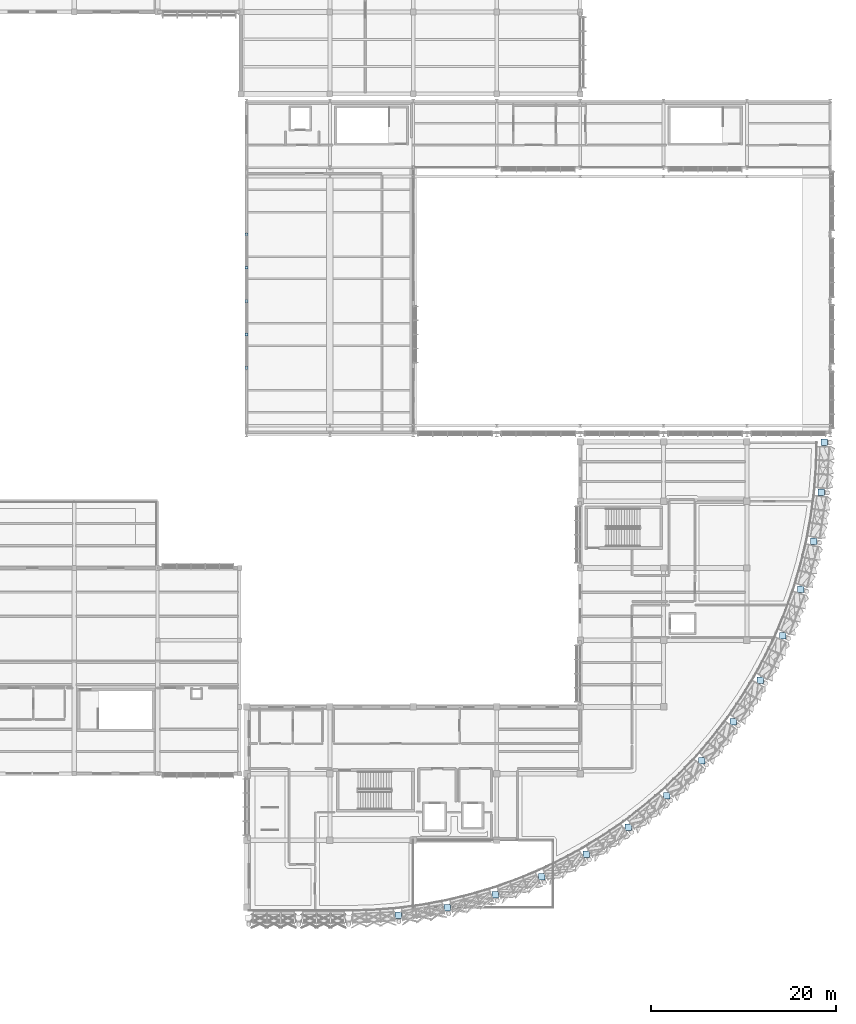
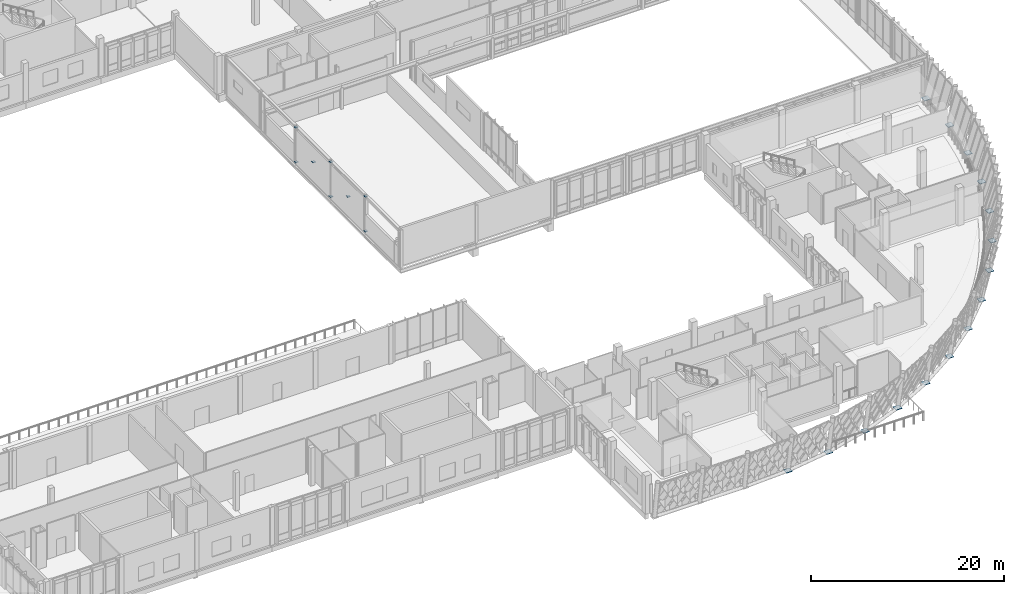
# One storey, part 145 of 177: 23 plates.
"""IFC4 building model written with IfcOpenShell, lengths in metres."""

from ifc_helpers import new_model, si_unit, direction, frame, origin, origin_2d, place, context, subcontext, project, spatial, rectangle, extrude, material, layer, layer_set, type_object, element, save


model = new_model("IFC4")

# Units and contexts
model_context = context("Model", 3, precision=1e-05, world=origin(), true_north=direction((0.0, 1.0)))
body_context = subcontext(model_context, "Body", "Model", "MODEL_VIEW")
ifc_project = project(units=[si_unit("LENGTHUNIT", "METRE"), si_unit("AREAUNIT", "SQUARE_METRE"), si_unit("VOLUMEUNIT", "CUBIC_METRE"), si_unit("PLANEANGLEUNIT", "RADIAN"), si_unit("MASSUNIT", "GRAM", prefix="KILO")], contexts=[model_context])

# Site, building, storey
site_placement = place(None, origin())
site = spatial("IfcSite", under=ifc_project, at=site_placement, CompositionType="ELEMENT")
building_placement = place(site_placement, origin())
building = spatial("IfcBuilding", under=site, at=building_placement, Name="Chiffa Square Polytechnic", CompositionType="ELEMENT")
storey_placement = place(building_placement, frame((0.0, 0.0, 4.800048828125)))
storey = spatial("IfcBuildingStorey", under=building, at=storey_placement, Name="L01", CompositionType="ELEMENT", Elevation=4.800048828125)

# Plates
ifc_material = material(Name="Steel S355", Category="steel")
ifc_layer_1 = layer(ifc_material, 0.028076171875, Name="Steel S355")
ifc_layer_set_1 = layer_set([ifc_layer_1], Name="Steel S355")
plate_type_1 = type_object("IfcPlateType", Name="PLT-GUSSET-28", PredefinedType="USERDEFINED", material=ifc_layer_set_1)
for number, where, z_axis, x_axis, name in (
    (1, (112.199951171875, 65.39990234375, 0.18603515625), (0.0, 0.0, 1.0), (1.0, 0.0, 0.0), "Steel connection gusset plate GP-L01-223"),
    (2, (112.199951171875, 72.60009765625, 4.5859375), (0.0, 0.0, 1.0), (1.0, 0.0, 0.0), "Steel connection gusset plate GP-L01-224"),
    (3, (112.199951171875, 65.39990234375, 4.5859375), (0.0, 0.0, 1.0), (1.0, 0.0, 0.0), "Steel connection gusset plate GP-L01-225"),
    (4, (112.199951171875, 72.60009765625, 0.18603515625), (0.0, 0.0, 1.0), (1.0, 0.0, 0.0), "Steel connection gusset plate GP-L01-226"),
    (5, (112.199951171875, 69.0, 2.3857421875), (0.0, 0.0, 1.0), (1.0, 0.0, 0.0), "Steel connection gusset plate GP-L01-227"),
    (6, (112.199951171875, 79.800048828125, 4.5859375), (0.0, 0.0, 1.0), (1.0, 0.0, 0.0), "Steel connection gusset plate GP-L01-231"),
    (7, (112.199951171875, 79.800048828125, 0.18603515625), (0.0, 0.0, 1.0), (1.0, 0.0, 0.0), "Steel connection gusset plate GP-L01-232"),
    (8, (112.199951171875, 76.199951171875, 2.3857421875), (0.0, 0.0, 1.0), (1.0, 0.0, 0.0), "Steel connection gusset plate GP-L01-233"),
):
    element("IfcPlate", number, at=place(storey_placement, frame(where, z_axis=z_axis, x_axis=x_axis)), inside=storey, type_object=plate_type_1, Name=name, ObjectType="GUSSET PLATE", PredefinedType="USERDEFINED", context=body_context, shape_type="SweptSolid", body=[
        extrude(rectangle(XDim=0.320068359375, YDim=0.320068359375, at=origin_2d()), origin(), (0.0, 0.0, 1.0), 0.028076171875),
    ])
ifc_layer_2 = layer(ifc_material, 0.050048828125, Name="Steel S355")
ifc_layer_set_2 = layer_set([ifc_layer_2], Name="Steel S355")
plate_type_2 = type_object("IfcPlateType", Name="PLT-GUSSET-50", PredefinedType="USERDEFINED", material=ifc_layer_set_2)
for number, where, z_axis, x_axis, name in (
    (9, (128.56396484375, 6.31005859375, -0.02490234375), (0.0, 0.0, 1.0), (1.0, 0.0, 0.0), "Steel connection gusset plate GP-L01-009"),
    (10, (133.8701171875, 7.15087890625, -0.02490234375), (0.0, 0.0, 1.0), (1.0, 0.0, 0.0), "Steel connection gusset plate GP-L01-012"),
    (11, (139.05908203125, 8.541015625, -0.02490234375), (0.0, 0.0, 1.0), (1.0, 0.0, 0.0), "Steel connection gusset plate GP-L01-014"),
    (12, (144.073974609375, 10.466064453125, -0.02490234375), (0.0, 0.0, 1.0), (1.0, 0.0, 0.0), "Steel connection gusset plate GP-L01-017"),
    (13, (148.860107421875, 12.905029296875, -0.02490234375), (0.0, 0.0, 1.0), (1.0, 0.0, 0.0), "Steel connection gusset plate GP-L01-019"),
    (14, (153.365966796875, 15.8310546875, -0.02490234375), (0.0, 0.0, 1.0), (1.0, 0.0, 0.0), "Steel connection gusset plate GP-L01-022"),
    (15, (157.5400390625, 19.2109375, -0.02490234375), (0.0, 0.0, 1.0), (1.0, 0.0, 0.0), "Steel connection gusset plate GP-L01-024"),
    (16, (161.339111328125, 23.010009765625, -0.02490234375), (0.0, 0.0, 1.0), (1.0, 0.0, 0.0), "Steel connection gusset plate GP-L01-027"),
    (17, (164.718994140625, 27.18408203125, -0.02490234375), (0.0, 0.0, 1.0), (1.0, 0.0, 0.0), "Steel connection gusset plate GP-L01-029"),
    (18, (167.64501953125, 31.68994140625, -0.02490234375), (0.0, 0.0, 1.0), (1.0, 0.0, 0.0), "Steel connection gusset plate GP-L01-032"),
    (19, (170.083984375, 36.47607421875, -0.02490234375), (0.0, 0.0, 1.0), (1.0, 0.0, 0.0), "Steel connection gusset plate GP-L01-034"),
    (20, (172.009033203125, 41.490966796875, -0.02490234375), (0.0, 0.0, 1.0), (1.0, 0.0, 0.0), "Steel connection gusset plate GP-L01-037"),
    (21, (173.39892578125, 46.679931640625, -0.02490234375), (0.0, 0.0, 1.0), (1.0, 0.0, 0.0), "Steel connection gusset plate GP-L01-039"),
    (22, (174.239990234375, 51.986083984375, -0.02490234375), (0.0, 0.0, 1.0), (1.0, 0.0, 0.0), "Steel connection gusset plate GP-L01-042"),
    (23, (174.52099609375, 57.35009765625, -0.02490234375), (0.0, 0.0, 1.0), (1.0, 0.0, 0.0), "Steel connection gusset plate GP-L01-044"),
):
    element("IfcPlate", number, at=place(storey_placement, frame(where, z_axis=z_axis, x_axis=x_axis)), inside=storey, type_object=plate_type_2, Name=name, ObjectType="GUSSET PLATE", PredefinedType="USERDEFINED", context=body_context, shape_type="SweptSolid", body=[
        extrude(rectangle(XDim=0.699951171875, YDim=0.699951171875, at=origin_2d()), origin(), (0.0, 0.0, 1.0), 0.050048828125),
    ])

save(model, "model.ifc")
